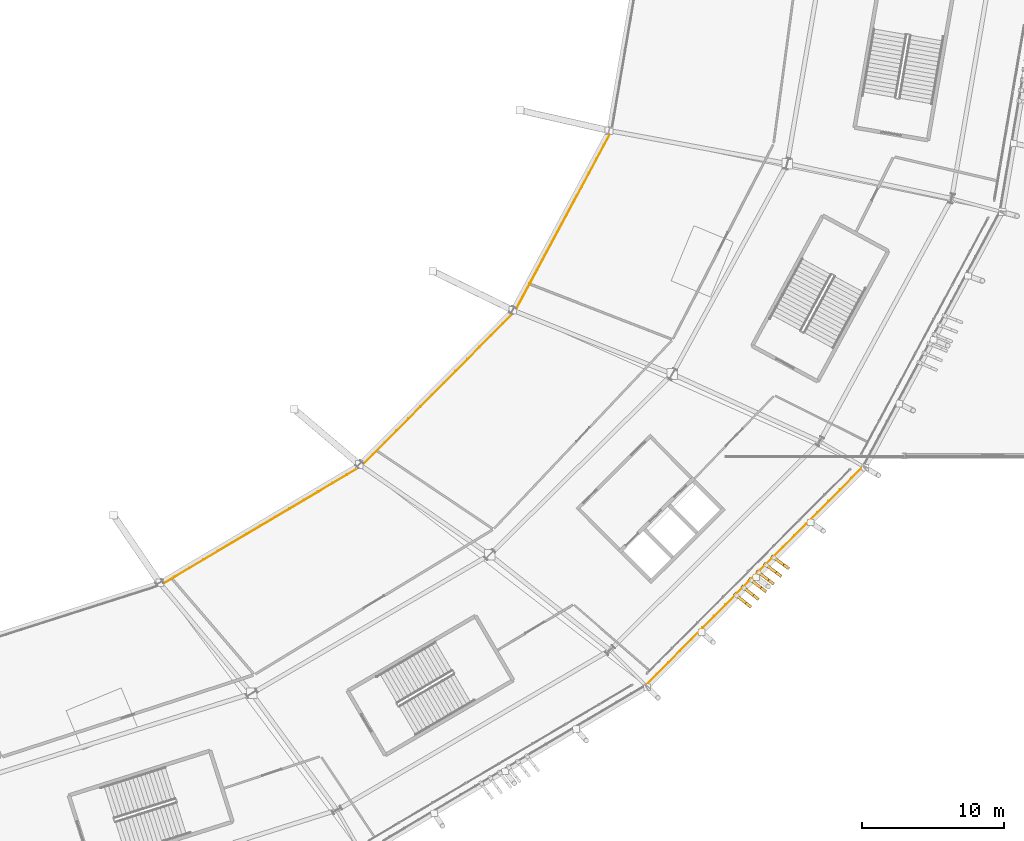
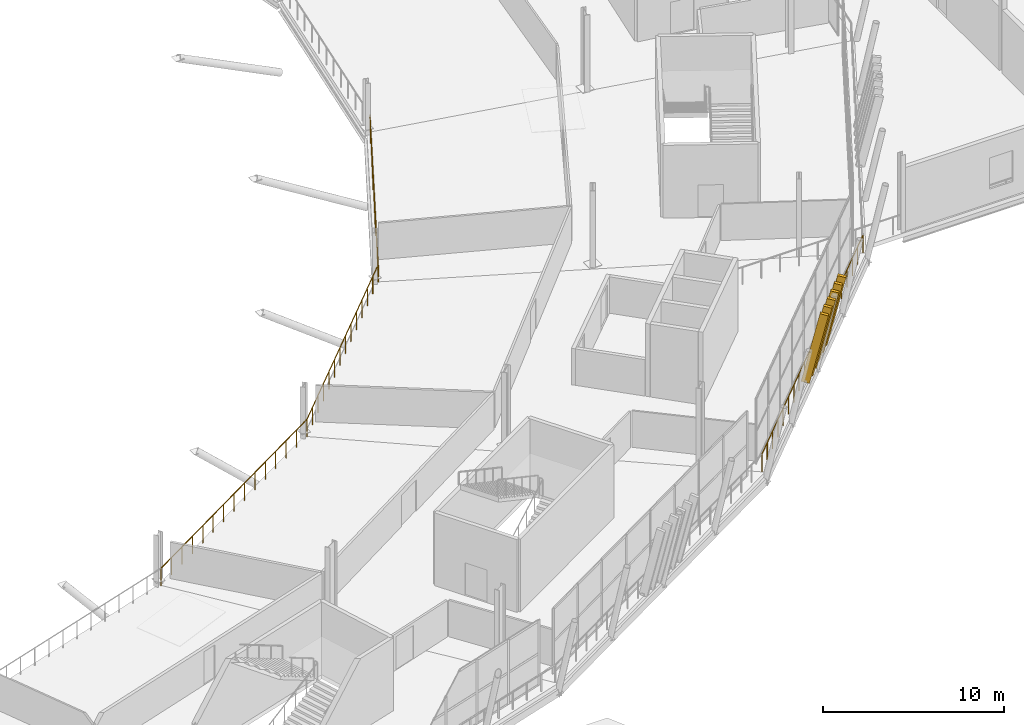
# One storey, part 155 of 168: 6 shading devices, 4 railings.
"""IFC4 building model written with IfcOpenShell, lengths in metres."""

from ifc_helpers import new_model, si_unit, direction, frame, origin, origin_2d, place, context, subcontext, project, spatial, rectangle, extrude, material, material_profile, profile_set, type_object, element, save


model = new_model("IFC4")

# Units and contexts
model_context = context("Model", 3, precision=1e-05, world=origin(), true_north=direction((0.0, 1.0)))
body_context = subcontext(model_context, "Body", "Model", "MODEL_VIEW")
ifc_project = project(units=[si_unit("LENGTHUNIT", "METRE"), si_unit("AREAUNIT", "SQUARE_METRE"), si_unit("VOLUMEUNIT", "CUBIC_METRE"), si_unit("PLANEANGLEUNIT", "RADIAN"), si_unit("MASSUNIT", "GRAM", prefix="KILO")], contexts=[model_context])

# Site, building, storey
site_placement = place(None, origin())
site = spatial("IfcSite", under=ifc_project, at=site_placement, CompositionType="ELEMENT")
building_placement = place(site_placement, origin())
building = spatial("IfcBuilding", under=site, at=building_placement, Name="Zlatoyarsky Gate Stadium", CompositionType="ELEMENT")
storey_placement = place(building_placement, frame((0.0, 0.0, 15.60009765625)))
storey = spatial("IfcBuildingStorey", under=building, at=storey_placement, Name="L03", CompositionType="ELEMENT", Elevation=15.60009765625)

# Railings
ifc_material_1 = material(Name="Powder-coated steel tubular guardrail", Category="steel")
railing_type = type_object("IfcRailingType", Name="CONCOURSE SLAB EDGE GUARDRAIL 1200", PredefinedType="GUARDRAIL", material=ifc_material_1)
railing_1_placement = place(storey_placement, frame((145.090087890625, 34.377685546875, 0.0)))
element("IfcRailing", 1, at=railing_1_placement, inside=storey, type_object=railing_type, Name="L03 inner bowl edge guardrail 20", PredefinedType="GUARDRAIL", context=body_context, shape_type="SweptSolid", body=[
    extrude(rectangle(XDim=0.048095703125, YDim=0.048095703125, at=origin_2d()), frame((0.0, 0.0, 1.17578125), z_axis=(0.860179176511, 0.509991945325, 0.0), x_axis=(-0.509991945325, 0.860179176511, 0.0)), (0.0, 0.0, 1.0), 16.41552734375),
    extrude(rectangle(XDim=0.0419921875, YDim=0.0419921875, at=origin_2d()), origin(), (0.0, 0.0, 1.0), 1.15185546875),
    extrude(rectangle(XDim=0.0419921875, YDim=0.0419921875, at=origin_2d()), frame((1.008544921875, 0.597900390625, 0.0)), (0.0, 0.0, 1.0), 1.15185546875),
    extrude(rectangle(XDim=0.0419921875, YDim=0.0419921875, at=origin_2d()), frame((2.01708984375, 1.196044921875, 0.0)), (0.0, 0.0, 1.0), 1.15185546875),
    extrude(rectangle(XDim=0.0419921875, YDim=0.0419921875, at=origin_2d()), frame((3.02587890625, 1.7939453125, 0.0)), (0.0, 0.0, 1.0), 1.15185546875),
    extrude(rectangle(XDim=0.0419921875, YDim=0.0419921875, at=origin_2d()), frame((4.034423828125, 2.391845703125, 0.0)), (0.0, 0.0, 1.0), 1.15185546875),
    extrude(rectangle(XDim=0.0419921875, YDim=0.0419921875, at=origin_2d()), frame((5.04296875, 2.989990234375, 0.0)), (0.0, 0.0, 1.0), 1.15185546875),
    extrude(rectangle(XDim=0.0419921875, YDim=0.0419921875, at=origin_2d()), frame((6.051513671875, 3.587890625, 0.0)), (0.0, 0.0, 1.0), 1.15185546875),
    extrude(rectangle(XDim=0.0419921875, YDim=0.0419921875, at=origin_2d()), frame((7.06005859375, 4.18603515625, 0.0)), (0.0, 0.0, 1.0), 1.15185546875),
    extrude(rectangle(XDim=0.0419921875, YDim=0.0419921875, at=origin_2d()), frame((8.06884765625, 4.783935546875, 0.0)), (0.0, 0.0, 1.0), 1.15185546875),
    extrude(rectangle(XDim=0.0419921875, YDim=0.0419921875, at=origin_2d()), frame((9.077392578125, 5.3818359375, 0.0)), (0.0, 0.0, 1.0), 1.15185546875),
    extrude(rectangle(XDim=0.0419921875, YDim=0.0419921875, at=origin_2d()), frame((10.0859375, 5.97998046875, 0.0)), (0.0, 0.0, 1.0), 1.15185546875),
    extrude(rectangle(XDim=0.0419921875, YDim=0.0419921875, at=origin_2d()), frame((11.094482421875, 6.577880859375, 0.0)), (0.0, 0.0, 1.0), 1.15185546875),
    extrude(rectangle(XDim=0.0419921875, YDim=0.0419921875, at=origin_2d()), frame((12.103271484375, 7.17578125, 0.0)), (0.0, 0.0, 1.0), 1.15185546875),
    extrude(rectangle(XDim=0.0419921875, YDim=0.0419921875, at=origin_2d()), frame((13.11181640625, 7.77392578125, 0.0)), (0.0, 0.0, 1.0), 1.15185546875),
    extrude(rectangle(XDim=0.0419921875, YDim=0.0419921875, at=origin_2d()), frame((14.120361328125, 8.371826171875, 0.0)), (0.0, 0.0, 1.0), 1.15185546875),
])
railing_2_placement = place(storey_placement, frame((159.21044921875, 42.74951171875, 0.0)))
element("IfcRailing", 2, at=railing_2_placement, inside=storey, type_object=railing_type, Name="L03 inner bowl edge guardrail 21", PredefinedType="GUARDRAIL", context=body_context, shape_type="SweptSolid", body=[
    extrude(rectangle(XDim=0.048095703125, YDim=0.048095703125, at=origin_2d()), frame((0.0, 0.0, 1.17578125), z_axis=(0.704657425229, 0.709547682027, 0.0), x_axis=(-0.709547682027, 0.704657425229, 0.0)), (0.0, 0.0, 1.0), 15.37646484375),
    extrude(rectangle(XDim=0.0419921875, YDim=0.0419921875, at=origin_2d()), origin(), (0.0, 0.0, 1.0), 1.15185546875),
    extrude(rectangle(XDim=0.0419921875, YDim=0.0419921875, at=origin_2d()), frame((0.83349609375, 0.83935546875, 0.0)), (0.0, 0.0, 1.0), 1.15185546875),
    extrude(rectangle(XDim=0.0419921875, YDim=0.0419921875, at=origin_2d()), frame((1.6669921875, 1.678466796875, 0.0)), (0.0, 0.0, 1.0), 1.15185546875),
    extrude(rectangle(XDim=0.0419921875, YDim=0.0419921875, at=origin_2d()), frame((2.50048828125, 2.517822265625, 0.0)), (0.0, 0.0, 1.0), 1.15185546875),
    extrude(rectangle(XDim=0.0419921875, YDim=0.0419921875, at=origin_2d()), frame((3.333984375, 3.35693359375, 0.0)), (0.0, 0.0, 1.0), 1.15185546875),
    extrude(rectangle(XDim=0.0419921875, YDim=0.0419921875, at=origin_2d()), frame((4.16748046875, 4.1962890625, 0.0)), (0.0, 0.0, 1.0), 1.15185546875),
    extrude(rectangle(XDim=0.0419921875, YDim=0.0419921875, at=origin_2d()), frame((5.0009765625, 5.03564453125, 0.0)), (0.0, 0.0, 1.0), 1.15185546875),
    extrude(rectangle(XDim=0.0419921875, YDim=0.0419921875, at=origin_2d()), frame((5.834228515625, 5.874755859375, 0.0)), (0.0, 0.0, 1.0), 1.15185546875),
    extrude(rectangle(XDim=0.0419921875, YDim=0.0419921875, at=origin_2d()), frame((6.667724609375, 6.714111328125, 0.0)), (0.0, 0.0, 1.0), 1.15185546875),
    extrude(rectangle(XDim=0.0419921875, YDim=0.0419921875, at=origin_2d()), frame((7.501220703125, 7.553466796875, 0.0)), (0.0, 0.0, 1.0), 1.15185546875),
    extrude(rectangle(XDim=0.0419921875, YDim=0.0419921875, at=origin_2d()), frame((8.334716796875, 8.392578125, 0.0)), (0.0, 0.0, 1.0), 1.15185546875),
    extrude(rectangle(XDim=0.0419921875, YDim=0.0419921875, at=origin_2d()), frame((9.168212890625, 9.23193359375, 0.0)), (0.0, 0.0, 1.0), 1.15185546875),
    extrude(rectangle(XDim=0.0419921875, YDim=0.0419921875, at=origin_2d()), frame((10.001708984375, 10.071044921875, 0.0)), (0.0, 0.0, 1.0), 1.15185546875),
    extrude(rectangle(XDim=0.0419921875, YDim=0.0419921875, at=origin_2d()), frame((10.835205078125, 10.910400390625, 0.0)), (0.0, 0.0, 1.0), 1.15185546875),
])
railing_3_placement = place(storey_placement, frame((170.045654296875, 53.659912109375, 0.0)))
element("IfcRailing", 3, at=railing_3_placement, inside=storey, type_object=railing_type, Name="L03 inner bowl edge guardrail 22", PredefinedType="GUARDRAIL", context=body_context, shape_type="SweptSolid", body=[
    extrude(rectangle(XDim=0.048095703125, YDim=0.048095703125, at=origin_2d()), frame((0.0, 0.0, 1.17578125), z_axis=(0.472462954592, 0.88135052989, 0.0), x_axis=(-0.88135052989, 0.472462954592, 0.0)), (0.0, 0.0, 1.0), 14.416015625),
    extrude(rectangle(XDim=0.0419921875, YDim=0.0419921875, at=origin_2d()), origin(), (0.0, 0.0, 1.0), 1.15185546875),
    extrude(rectangle(XDim=0.0419921875, YDim=0.0419921875, at=origin_2d()), frame((0.52392578125, 0.977294921875, 0.0)), (0.0, 0.0, 1.0), 1.15185546875),
    extrude(rectangle(XDim=0.0419921875, YDim=0.0419921875, at=origin_2d()), frame((1.0478515625, 1.95458984375, 0.0)), (0.0, 0.0, 1.0), 1.15185546875),
    extrude(rectangle(XDim=0.0419921875, YDim=0.0419921875, at=origin_2d()), frame((1.57177734375, 2.93212890625, 0.0)), (0.0, 0.0, 1.0), 1.15185546875),
    extrude(rectangle(XDim=0.0419921875, YDim=0.0419921875, at=origin_2d()), frame((2.095703125, 3.909423828125, 0.0)), (0.0, 0.0, 1.0), 1.15185546875),
    extrude(rectangle(XDim=0.0419921875, YDim=0.0419921875, at=origin_2d()), frame((2.61962890625, 4.88671875, 0.0)), (0.0, 0.0, 1.0), 1.15185546875),
    extrude(rectangle(XDim=0.0419921875, YDim=0.0419921875, at=origin_2d()), frame((3.1435546875, 5.864013671875, 0.0)), (0.0, 0.0, 1.0), 1.15185546875),
    extrude(rectangle(XDim=0.0419921875, YDim=0.0419921875, at=origin_2d()), frame((3.66748046875, 6.841552734375, 0.0)), (0.0, 0.0, 1.0), 1.15185546875),
    extrude(rectangle(XDim=0.0419921875, YDim=0.0419921875, at=origin_2d()), frame((4.19140625, 7.81884765625, 0.0)), (0.0, 0.0, 1.0), 1.15185546875),
    extrude(rectangle(XDim=0.0419921875, YDim=0.0419921875, at=origin_2d()), frame((4.71533203125, 8.796142578125, 0.0)), (0.0, 0.0, 1.0), 1.15185546875),
    extrude(rectangle(XDim=0.0419921875, YDim=0.0419921875, at=origin_2d()), frame((5.2392578125, 9.7734375, 0.0)), (0.0, 0.0, 1.0), 1.15185546875),
    extrude(rectangle(XDim=0.0419921875, YDim=0.0419921875, at=origin_2d()), frame((5.76318359375, 10.7509765625, 0.0)), (0.0, 0.0, 1.0), 1.15185546875),
    extrude(rectangle(XDim=0.0419921875, YDim=0.0419921875, at=origin_2d()), frame((6.287109375, 11.728271484375, 0.0)), (0.0, 0.0, 1.0), 1.15185546875),
    extrude(rectangle(XDim=0.0419921875, YDim=0.0419921875, at=origin_2d()), frame((6.81103515625, 12.70556640625, 0.0)), (0.0, 0.0, 1.0), 1.15185546875),
])
railing_4_placement = place(storey_placement, frame((179.25146484375, 27.3046875, 0.0)))
element("IfcRailing", 4, at=railing_4_placement, inside=storey, type_object=railing_type, Name="L03 outer slab edge guardrail 21", PredefinedType="GUARDRAIL", context=body_context, shape_type="SweptSolid", body=[
    extrude(rectangle(XDim=0.048095703125, YDim=0.048095703125, at=origin_2d()), frame((0.0, 0.0, 1.17578125), z_axis=(0.704921221099, 0.709285606822, 0.0), x_axis=(-0.709285606822, 0.704921221099, 0.0)), (0.0, 0.0, 1.0), 21.760498046875),
    extrude(rectangle(XDim=0.0419921875, YDim=0.0419921875, at=origin_2d()), origin(), (0.0, 0.0, 1.0), 1.15185546875),
    extrude(rectangle(XDim=0.0419921875, YDim=0.0419921875, at=origin_2d()), frame((0.807373046875, 0.812255859375, 0.0)), (0.0, 0.0, 1.0), 1.15185546875),
    extrude(rectangle(XDim=0.0419921875, YDim=0.0419921875, at=origin_2d()), frame((1.61474609375, 1.624755859375, 0.0)), (0.0, 0.0, 1.0), 1.15185546875),
    extrude(rectangle(XDim=0.0419921875, YDim=0.0419921875, at=origin_2d()), frame((2.422119140625, 2.43701171875, 0.0)), (0.0, 0.0, 1.0), 1.15185546875),
    extrude(rectangle(XDim=0.0419921875, YDim=0.0419921875, at=origin_2d()), frame((3.229248046875, 3.249267578125, 0.0)), (0.0, 0.0, 1.0), 1.15185546875),
    extrude(rectangle(XDim=0.0419921875, YDim=0.0419921875, at=origin_2d()), frame((4.03662109375, 4.061767578125, 0.0)), (0.0, 0.0, 1.0), 1.15185546875),
    extrude(rectangle(XDim=0.0419921875, YDim=0.0419921875, at=origin_2d()), frame((4.843994140625, 4.8740234375, 0.0)), (0.0, 0.0, 1.0), 1.15185546875),
    extrude(rectangle(XDim=0.0419921875, YDim=0.0419921875, at=origin_2d()), frame((5.6513671875, 5.686279296875, 0.0)), (0.0, 0.0, 1.0), 1.15185546875),
    extrude(rectangle(XDim=0.0419921875, YDim=0.0419921875, at=origin_2d()), frame((6.458740234375, 6.498779296875, 0.0)), (0.0, 0.0, 1.0), 1.15185546875),
    extrude(rectangle(XDim=0.0419921875, YDim=0.0419921875, at=origin_2d()), frame((7.26611328125, 7.31103515625, 0.0)), (0.0, 0.0, 1.0), 1.15185546875),
    extrude(rectangle(XDim=0.0419921875, YDim=0.0419921875, at=origin_2d()), frame((8.0732421875, 8.123291015625, 0.0)), (0.0, 0.0, 1.0), 1.15185546875),
    extrude(rectangle(XDim=0.0419921875, YDim=0.0419921875, at=origin_2d()), frame((8.880615234375, 8.935546875, 0.0)), (0.0, 0.0, 1.0), 1.15185546875),
    extrude(rectangle(XDim=0.0419921875, YDim=0.0419921875, at=origin_2d()), frame((9.68798828125, 9.748046875, 0.0)), (0.0, 0.0, 1.0), 1.15185546875),
    extrude(rectangle(XDim=0.0419921875, YDim=0.0419921875, at=origin_2d()), frame((10.495361328125, 10.560302734375, 0.0)), (0.0, 0.0, 1.0), 1.15185546875),
    extrude(rectangle(XDim=0.0419921875, YDim=0.0419921875, at=origin_2d()), frame((11.302734375, 11.37255859375, 0.0)), (0.0, 0.0, 1.0), 1.15185546875),
    extrude(rectangle(XDim=0.0419921875, YDim=0.0419921875, at=origin_2d()), frame((12.110107421875, 12.18505859375, 0.0)), (0.0, 0.0, 1.0), 1.15185546875),
    extrude(rectangle(XDim=0.0419921875, YDim=0.0419921875, at=origin_2d()), frame((12.917236328125, 12.997314453125, 0.0)), (0.0, 0.0, 1.0), 1.15185546875),
    extrude(rectangle(XDim=0.0419921875, YDim=0.0419921875, at=origin_2d()), frame((13.724609375, 13.8095703125, 0.0)), (0.0, 0.0, 1.0), 1.15185546875),
    extrude(rectangle(XDim=0.0419921875, YDim=0.0419921875, at=origin_2d()), frame((14.531982421875, 14.6220703125, 0.0)), (0.0, 0.0, 1.0), 1.15185546875),
    extrude(rectangle(XDim=0.0419921875, YDim=0.0419921875, at=origin_2d()), frame((15.33935546875, 15.434326171875, 0.0)), (0.0, 0.0, 1.0), 1.15185546875),
])

# Shading devices
ifc_material_2 = material(Name="Precast concrete C40/50 stone-toned architectural rib", Category="masonry")
ifc_material_profile = material_profile(ifc_material_2, rectangle(XDim=0.199951171875, YDim=0.47998046875, at=origin_2d()), Name="RIB 200X480")
ifc_profile_set = profile_set([ifc_material_profile], Name="Precast concrete C40/50 stone-toned architectural rib")
shading_device_type = type_object("IfcShadingDeviceType", Name="PRECAST FLUTED GATE LOUVRE BLADE 200X480", PredefinedType="SHUTTER", material=ifc_profile_set)
for number, where, z_axis, x_axis, name in (
    (5, (185.67822265625, 33.63134765625, -0.010009765625), (0.172634526226, -0.138761578346, 0.975162829854), (0.626493721228, 0.779426466873, 0.0), "Leaning bowl louvre fin L03-21-1"),
    (6, (186.206787109375, 34.163330078125, -0.010009765625), (0.173861754368, -0.137178610191, 0.975168764509), (0.619419865721, 0.785059889404, 0.0), "Leaning bowl louvre fin L03-21-2"),
    (7, (186.7353515625, 34.695556640625, -0.010009765625), (0.175088294997, -0.135595078764, 0.975170786873), (0.61229416772, 0.790630034957, 0.0), "Leaning bowl louvre fin L03-21-3"),
    (8, (187.26416015625, 35.2275390625, -0.010009765625), (0.176314133342, -0.134011003117, 0.975168896872), (0.605118362846, 0.796135520465, 0.0), "Leaning bowl louvre fin L03-21-4"),
    (9, (187.792724609375, 35.759521484375, -0.010009765625), (0.177539254658, -0.132426402323, 0.975163094576), (0.597894223616, 0.801575010443, 0.0), "Leaning bowl louvre fin L03-21-5"),
    (10, (188.3212890625, 36.29150390625, -0.010009765625), (0.178764838979, -0.130791079676, 0.975159897567), (0.590473353714, 0.807057134628, 0.0), "Leaning bowl louvre fin L03-21-6"),
):
    element("IfcShadingDevice", number, at=place(storey_placement, frame(where, z_axis=z_axis, x_axis=x_axis)), inside=storey, type_object=shading_device_type, Name=name, PredefinedType="SHUTTER", context=body_context, shape_type="SweptSolid", body=[
        extrude(rectangle(XDim=0.199951171875, YDim=0.47998046875, at=origin_2d()), origin(), (0.0, 0.0, 1.0), 4.778564453125),
    ])

save(model, "model.ifc")
